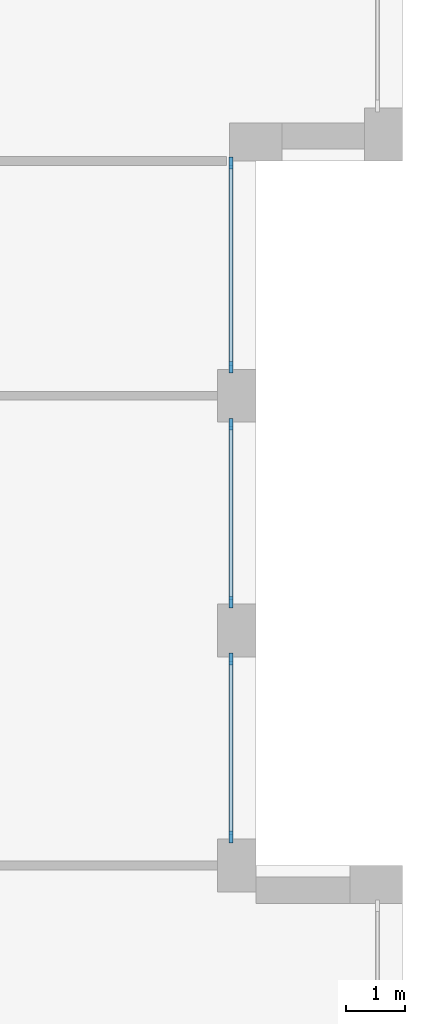
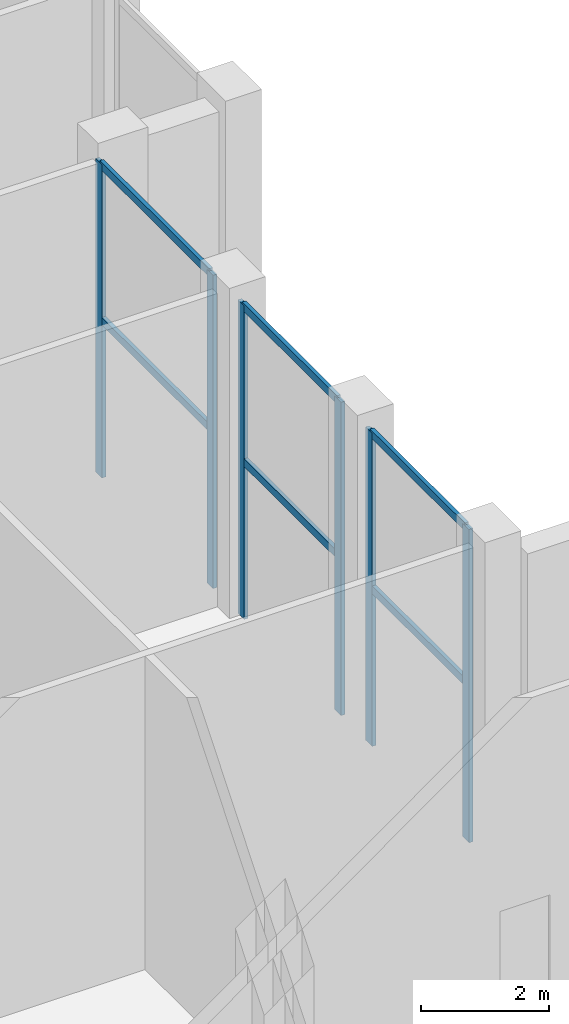
# One storey, part 6 of 18: 12 members, 3 elements without a shape of their own.
"""IFC4 building model written with IfcOpenShell, lengths in metres."""

from ifc_helpers import new_model, si_unit, direction, frame, origin, origin_2d, place, context, subcontext, project, spatial, rectangle, extrude, material, layer, layer_set, material_profile, profile_set, type_object, element, aggregate, save


model = new_model("IFC4")

# Units and contexts
model_context = context("Model", 3, precision=1e-05, world=origin(), true_north=direction((0.0, 1.0)))
body_context = subcontext(model_context, "Body", "Model", "MODEL_VIEW")
ifc_project = project(units=[si_unit("LENGTHUNIT", "METRE"), si_unit("AREAUNIT", "SQUARE_METRE"), si_unit("VOLUMEUNIT", "CUBIC_METRE"), si_unit("PLANEANGLEUNIT", "RADIAN"), si_unit("MASSUNIT", "GRAM", prefix="KILO")], contexts=[model_context])

# Site, building, storey
site_placement = place(None, origin())
site = spatial("IfcSite", under=ifc_project, at=site_placement, CompositionType="ELEMENT")
building_placement = place(site_placement, origin())
building = spatial("IfcBuilding", under=site, at=building_placement, Name="Brigalow Station Residences", CompositionType="ELEMENT")
storey_placement = place(building_placement, frame((0.0, 0.0, 191.699951171875)))
storey = spatial("IfcBuildingStorey", under=building, at=storey_placement, Name="L55", CompositionType="ELEMENT", Elevation=191.699951171875)

# Curtain wall, members
ifc_material_1 = material(Name="Aluminium", Category="aluminium")
ifc_layer = layer(ifc_material_1, 0.199951171875)
ifc_layer_set = layer_set([ifc_layer], Name="SKY FLOOR GLAZING CURTAIN WALL")
curtain_wall_type = type_object("IfcCurtainWallType", Name="SKY FLOOR GLAZING CURTAIN WALL", PredefinedType="NOTDEFINED", material=ifc_layer_set)
curtain_wall_1_placement = place(storey_placement, origin())
curtain_wall_1 = element("IfcCurtainWall", 1, at=curtain_wall_1_placement, inside=storey, type_object=curtain_wall_type, Name="L55/cw/W-L55-12", PredefinedType="NOTDEFINED")
ifc_material_2 = material(Name="Aluminium", Category="aluminium")
ifc_material_profile_1 = material_profile(ifc_material_2, rectangle(XDim=0.070068359375, YDim=0.199951171875, at=origin_2d()), Name="SKY FLOOR GLAZING MULLION 70x200")
ifc_profile_set_1 = profile_set([ifc_material_profile_1], Name="Aluminium")
member_type_1 = type_object("IfcMemberType", Name="SKY FLOOR GLAZING MULLION 70x200", PredefinedType="MULLION", material=ifc_profile_set_1)
member_1_placement = place(storey_placement, frame((69.074951171875, 16.985107421875, 0.0), z_axis=(0.0, 0.0, 1.0), x_axis=(-1.0, 0.0, 0.0)))
member_1 = element("IfcMember", 2, at=member_1_placement, type_object=member_type_1, Name="L55/cw/W-L55-12/M00", PredefinedType="MULLION", context=body_context, shape_type="SweptSolid", body=[
    extrude(rectangle(XDim=0.070068359375, YDim=0.199951171875, at=origin_2d()), origin(), (0.0, 0.0, 1.0), 5.97998046875),
])
member_2_placement = place(storey_placement, frame((69.074951171875, 20.014892578125, 0.0), z_axis=(0.0, 0.0, 1.0), x_axis=(-1.0, 0.0, 0.0)))
member_2 = element("IfcMember", 3, at=member_2_placement, type_object=member_type_1, Name="L55/cw/W-L55-12/M01", PredefinedType="MULLION", context=body_context, shape_type="SweptSolid", body=[
    extrude(rectangle(XDim=0.070068359375, YDim=0.199951171875, at=origin_2d()), origin(), (0.0, 0.0, 1.0), 5.97998046875),
])

curtain_wall_2_placement = place(storey_placement, origin())
curtain_wall_2 = element("IfcCurtainWall", 4, at=curtain_wall_2_placement, inside=storey, type_object=curtain_wall_type, Name="L55/cw/W-L55-13", PredefinedType="NOTDEFINED")
member_3_placement = place(storey_placement, frame((69.074951171875, 20.985107421875, 0.0), z_axis=(0.0, 0.0, 1.0), x_axis=(-1.0, 0.0, 0.0)))
member_3 = element("IfcMember", 5, at=member_3_placement, type_object=member_type_1, Name="L55/cw/W-L55-13/M00", PredefinedType="MULLION", context=body_context, shape_type="SweptSolid", body=[
    extrude(rectangle(XDim=0.070068359375, YDim=0.199951171875, at=origin_2d()), origin(), (0.0, 0.0, 1.0), 5.97998046875),
])
member_4_placement = place(storey_placement, frame((69.074951171875, 24.014892578125, 0.0), z_axis=(0.0, 0.0, 1.0), x_axis=(-1.0, 0.0, 0.0)))
member_4 = element("IfcMember", 6, at=member_4_placement, type_object=member_type_1, Name="L55/cw/W-L55-13/M01", PredefinedType="MULLION", context=body_context, shape_type="SweptSolid", body=[
    extrude(rectangle(XDim=0.070068359375, YDim=0.199951171875, at=origin_2d()), origin(), (0.0, 0.0, 1.0), 5.97998046875),
])

curtain_wall_3_placement = place(storey_placement, origin())
curtain_wall_3 = element("IfcCurtainWall", 7, at=curtain_wall_3_placement, inside=storey, type_object=curtain_wall_type, Name="L55/cw/W-L55-14", PredefinedType="NOTDEFINED")
member_5_placement = place(storey_placement, frame((69.074951171875, 24.985107421875, 0.0), z_axis=(0.0, 0.0, 1.0), x_axis=(-1.0, 0.0, 0.0)))
member_5 = element("IfcMember", 8, at=member_5_placement, type_object=member_type_1, Name="L55/cw/W-L55-14/M00", PredefinedType="MULLION", context=body_context, shape_type="SweptSolid", body=[
    extrude(rectangle(XDim=0.070068359375, YDim=0.199951171875, at=origin_2d()), origin(), (0.0, 0.0, 1.0), 5.97998046875),
])
member_6_placement = place(storey_placement, frame((69.074951171875, 28.465087890625, 0.0), z_axis=(0.0, 0.0, 1.0), x_axis=(-1.0, 0.0, 0.0)))
member_6 = element("IfcMember", 9, at=member_6_placement, type_object=member_type_1, Name="L55/cw/W-L55-14/M01", PredefinedType="MULLION", context=body_context, shape_type="SweptSolid", body=[
    extrude(rectangle(XDim=0.070068359375, YDim=0.199951171875, at=origin_2d()), origin(), (0.0, 0.0, 1.0), 5.97998046875),
])

# Member
ifc_material_3 = material(Name="Aluminium", Category="aluminium")
ifc_material_profile_2 = material_profile(ifc_material_3, rectangle(XDim=0.070068359375, YDim=0.14990234375, at=origin_2d()), Name="SKY FLOOR GLAZING TRANSOM 70x150")
ifc_profile_set_2 = profile_set([ifc_material_profile_2], Name="Aluminium")
member_type_2 = type_object("IfcMemberType", Name="SKY FLOOR GLAZING TRANSOM 70x150", PredefinedType="USERDEFINED", material=ifc_profile_set_2)
member_7_placement = place(storey_placement, frame((69.074951171875, 17.02001953125, 2.989990234375), z_axis=(0.0, 1.0, 0.0), x_axis=(-1.0, 0.0, 0.0)))
member_7 = element("IfcMember", 10, at=member_7_placement, type_object=member_type_2, Name="L55/cw/W-L55-12/T00-00", ObjectType="TRANSOM", PredefinedType="USERDEFINED", context=body_context, shape_type="SweptSolid", body=[
    extrude(rectangle(XDim=0.070068359375, YDim=0.14990234375, at=origin_2d()), origin(), (0.0, 0.0, 1.0), 2.9599609375),
])

member_8_placement = place(storey_placement, frame((69.074951171875, 17.02001953125, 5.945068359375), z_axis=(0.0, 1.0, 0.0), x_axis=(-1.0, 0.0, 0.0)))
member_8 = element("IfcMember", 11, at=member_8_placement, type_object=member_type_2, Name="L55/cw/W-L55-12/T00-01", ObjectType="TRANSOM", PredefinedType="USERDEFINED", context=body_context, shape_type="SweptSolid", body=[
    extrude(rectangle(XDim=0.070068359375, YDim=0.14990234375, at=origin_2d()), origin(), (0.0, 0.0, 1.0), 2.9599609375),
])

aggregate(curtain_wall_1, [member_1, member_2, member_7, member_8])

member_9_placement = place(storey_placement, frame((69.074951171875, 21.02001953125, 2.989990234375), z_axis=(0.0, 1.0, 0.0), x_axis=(-1.0, 0.0, 0.0)))
member_9 = element("IfcMember", 12, at=member_9_placement, type_object=member_type_2, Name="L55/cw/W-L55-13/T00-00", ObjectType="TRANSOM", PredefinedType="USERDEFINED", context=body_context, shape_type="SweptSolid", body=[
    extrude(rectangle(XDim=0.070068359375, YDim=0.14990234375, at=origin_2d()), origin(), (0.0, 0.0, 1.0), 2.9599609375),
])

member_10_placement = place(storey_placement, frame((69.074951171875, 21.02001953125, 5.945068359375), z_axis=(0.0, 1.0, 0.0), x_axis=(-1.0, 0.0, 0.0)))
member_10 = element("IfcMember", 13, at=member_10_placement, type_object=member_type_2, Name="L55/cw/W-L55-13/T00-01", ObjectType="TRANSOM", PredefinedType="USERDEFINED", context=body_context, shape_type="SweptSolid", body=[
    extrude(rectangle(XDim=0.070068359375, YDim=0.14990234375, at=origin_2d()), origin(), (0.0, 0.0, 1.0), 2.9599609375),
])

aggregate(curtain_wall_2, [member_3, member_4, member_9, member_10])

member_11_placement = place(storey_placement, frame((69.074951171875, 25.02001953125, 2.989990234375), z_axis=(0.0, 1.0, 0.0), x_axis=(-1.0, 0.0, 0.0)))
member_11 = element("IfcMember", 14, at=member_11_placement, type_object=member_type_2, Name="L55/cw/W-L55-14/T00-00", ObjectType="TRANSOM", PredefinedType="USERDEFINED", context=body_context, shape_type="SweptSolid", body=[
    extrude(rectangle(XDim=0.070068359375, YDim=0.14990234375, at=origin_2d()), origin(), (0.0, 0.0, 1.0), 3.409912109375),
])

member_12_placement = place(storey_placement, frame((69.074951171875, 25.02001953125, 5.945068359375), z_axis=(0.0, 1.0, 0.0), x_axis=(-1.0, 0.0, 0.0)))
member_12 = element("IfcMember", 15, at=member_12_placement, type_object=member_type_2, Name="L55/cw/W-L55-14/T00-01", ObjectType="TRANSOM", PredefinedType="USERDEFINED", context=body_context, shape_type="SweptSolid", body=[
    extrude(rectangle(XDim=0.070068359375, YDim=0.14990234375, at=origin_2d()), origin(), (0.0, 0.0, 1.0), 3.409912109375),
])

aggregate(curtain_wall_3, [member_5, member_6, member_11, member_12])

save(model, "model.ifc")
